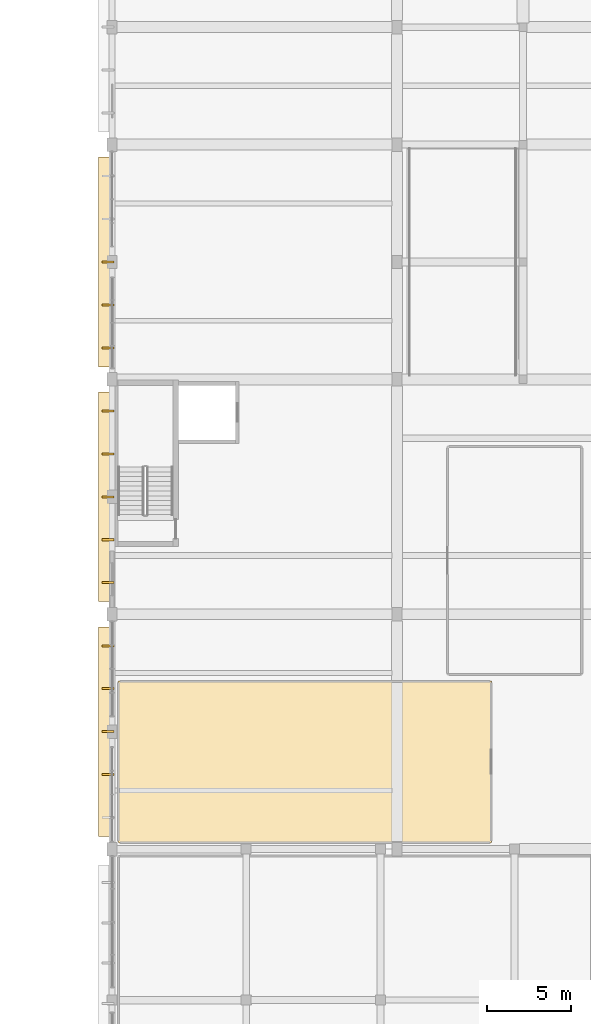
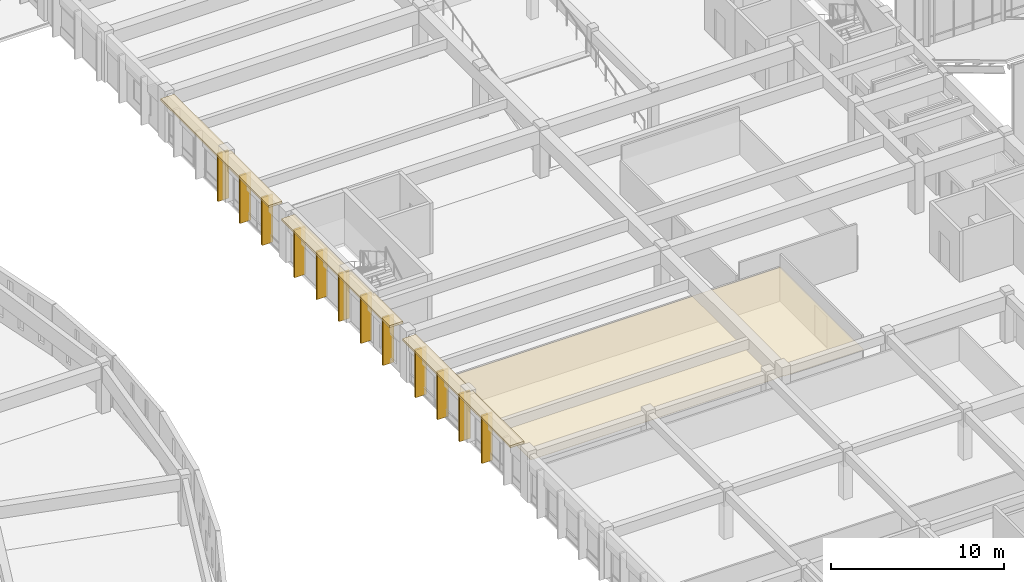
# One storey, part 133 of 155: 16 coverings.
"""IFC4 building model written with IfcOpenShell, lengths in metres."""

from ifc_helpers import new_model, si_unit, direction, frame, origin, origin_2d, place, context, subcontext, project, spatial, polyline, rectangle, outline, extrude, material, layer, layer_set, type_object, element, save


model = new_model("IFC4")

# Units and contexts
model_context = context("Model", 3, precision=1e-05, world=origin(), true_north=direction((0.0, 1.0)))
body_context = subcontext(model_context, "Body", "Model", "MODEL_VIEW")
ifc_project = project(units=[si_unit("LENGTHUNIT", "METRE"), si_unit("AREAUNIT", "SQUARE_METRE"), si_unit("VOLUMEUNIT", "CUBIC_METRE"), si_unit("PLANEANGLEUNIT", "RADIAN"), si_unit("MASSUNIT", "GRAM", prefix="KILO")], contexts=[model_context])

# Site, building, storey
site_placement = place(None, origin())
site = spatial("IfcSite", under=ifc_project, at=site_placement, CompositionType="ELEMENT")
building_placement = place(site_placement, origin())
building = spatial("IfcBuilding", under=site, at=building_placement, Name="Larkveld Mobility Hub", CompositionType="ELEMENT")
storey_placement = place(building_placement, frame((0.0, 0.0, 8.39990234375)))
storey = spatial("IfcBuildingStorey", under=building, at=storey_placement, Name="L02", CompositionType="ELEMENT", Elevation=8.39990234375)

# Coverings
ifc_material_1 = material(Name="Precast concrete C50/60", Category="concrete")
ifc_layer_1 = layer(ifc_material_1, 0.14990234375, Name="Precast concrete C50/60", Category="concrete")
ifc_layer_set_1 = layer_set([ifc_layer_1], Name="Precast concrete C50/60")
covering_type_1 = type_object("IfcCoveringType", Name="COV-QSL-H01", PredefinedType="CLADDING", material=ifc_layer_set_1)
for number, where, z_axis, x_axis, name in (
    (1, (111.659912109375, 35.0, 3.3701171875), (0.0, 0.0, 1.0), (0.0, -1.0, 0.0), "Precast Quebra-Sol Horizontal Sunbreaker QSH-449"),
    (2, (111.659912109375, 49.0, 3.3701171875), (0.0, 0.0, 1.0), (0.0, -1.0, 0.0), "Precast Quebra-Sol Horizontal Sunbreaker QSH-455"),
    (3, (111.659912109375, 63.0, 3.3701171875), (0.0, 0.0, 1.0), (0.0, -1.0, 0.0), "Precast Quebra-Sol Horizontal Sunbreaker QSH-461"),
):
    element("IfcCovering", number, at=place(storey_placement, frame(where, z_axis=z_axis, x_axis=x_axis)), inside=storey, type_object=covering_type_1, Name=name, PredefinedType="CLADDING", context=body_context, shape_type="SweptSolid", body=[
        extrude(rectangle(XDim=12.5, YDim=0.919921875, at=origin_2d()), origin(), (0.0, 0.0, 1.0), 0.14990234375),
    ])
ifc_layer_2 = layer(ifc_material_1, 0.1201171875, Name="Precast concrete C50/60", Category="concrete")
ifc_layer_set_2 = layer_set([ifc_layer_2], Name="Precast concrete C50/60")
covering_type_2 = type_object("IfcCoveringType", Name="COV-QSL-V01", PredefinedType="CLADDING", material=ifc_layer_set_2)
for number, where, z_axis, x_axis, name in (
    (4, (111.760009765625, 40.1201171875, -0.019287109375), (0.0, 0.0, 1.0), (0.0, -1.0, 0.0), "Precast Quebra-Sol Vertical Fin QSV-450"),
    (5, (111.760009765625, 37.56005859375, -0.019287109375), (0.0, 0.0, 1.0), (0.0, -1.0, 0.0), "Precast Quebra-Sol Vertical Fin QSV-451"),
    (6, (111.760009765625, 35.0, -0.019287109375), (0.0, 0.0, 1.0), (0.0, -1.0, 0.0), "Precast Quebra-Sol Vertical Fin QSV-452"),
    (7, (111.760009765625, 32.43994140625, -0.019287109375), (0.0, 0.0, 1.0), (0.0, -1.0, 0.0), "Precast Quebra-Sol Vertical Fin QSV-453"),
    (8, (111.760009765625, 54.1201171875, -0.019287109375), (0.0, 0.0, 1.0), (0.0, -1.0, 0.0), "Precast Quebra-Sol Vertical Fin QSV-456"),
    (9, (111.760009765625, 51.56005859375, -0.019287109375), (0.0, 0.0, 1.0), (0.0, -1.0, 0.0), "Precast Quebra-Sol Vertical Fin QSV-457"),
    (10, (111.760009765625, 49.0, -0.019287109375), (0.0, 0.0, 1.0), (0.0, -1.0, 0.0), "Precast Quebra-Sol Vertical Fin QSV-458"),
    (11, (111.760009765625, 46.43994140625, -0.019287109375), (0.0, 0.0, 1.0), (0.0, -1.0, 0.0), "Precast Quebra-Sol Vertical Fin QSV-459"),
    (12, (111.760009765625, 43.8798828125, -0.019287109375), (0.0, 0.0, 1.0), (0.0, -1.0, 0.0), "Precast Quebra-Sol Vertical Fin QSV-460"),
    (13, (111.760009765625, 63.0, -0.019287109375), (0.0, 0.0, 1.0), (0.0, -1.0, 0.0), "Precast Quebra-Sol Vertical Fin QSV-464"),
    (14, (111.760009765625, 60.43994140625, -0.019287109375), (0.0, 0.0, 1.0), (0.0, -1.0, 0.0), "Precast Quebra-Sol Vertical Fin QSV-465"),
    (15, (111.760009765625, 57.8798828125, -0.019287109375), (0.0, 0.0, 1.0), (0.0, -1.0, 0.0), "Precast Quebra-Sol Vertical Fin QSV-466"),
):
    element("IfcCovering", number, at=place(storey_placement, frame(where, z_axis=z_axis, x_axis=x_axis)), inside=storey, type_object=covering_type_2, Name=name, PredefinedType="CLADDING", context=body_context, shape_type="SweptSolid", body=[
        extrude(rectangle(XDim=0.1201171875, YDim=0.719970703125, at=origin_2d()), origin(), (0.0, 0.0, 1.0), 3.375),
    ])
ifc_material_2 = material(Name="Perforated mineral-fibre acoustic ceiling", Category="masonry")
ifc_layer_3 = layer(ifc_material_2, 0.02001953125, Name="Perforated mineral-fibre acoustic ceiling", Category="masonry")
ifc_layer_set_3 = layer_set([ifc_layer_3], Name="Perforated mineral-fibre acoustic ceiling")
covering_type_3 = type_object("IfcCoveringType", Name="CV-CLG-020", PredefinedType="CEILING", material=ifc_layer_set_3)
covering_placement = place(storey_placement, frame((0.0, 0.0, 2.330078125)))
element("IfcCovering", 16, at=covering_placement, inside=storey, type_object=covering_type_3, Name="Regional Coach Passenger Lounge Acoustic Ceiling 028", PredefinedType="CEILING", context=body_context, shape_type="SweptSolid", body=[
    extrude(outline(polyline([(112.4169921875, 28.3701171875), (112.4140625, 28.37109375), (112.410888671875, 28.37109375), (112.408935546875, 28.3720703125), (112.406005859375, 28.3740234375), (112.403076171875, 28.375), (112.40087890625, 28.376953125), (112.39892578125, 28.37890625), (112.37890625, 28.39892578125), (112.376953125, 28.40087890625), (112.375, 28.403076171875), (112.3740234375, 28.406005859375), (112.3720703125, 28.408935546875), (112.37109375, 28.410888671875), (112.37109375, 28.4140625), (112.3701171875, 28.4169921875), (112.3701171875, 28.419921875), (112.3701171875, 37.97998046875), (112.3701171875, 37.98291015625), (112.37109375, 37.986083984375), (112.37109375, 37.989013671875), (112.3720703125, 37.990966796875), (112.3740234375, 37.993896484375), (112.375, 37.9970703125), (112.386962890625, 38.014892578125), (112.388916015625, 38.01806640625), (112.39111328125, 38.02001953125), (112.39306640625, 38.02197265625), (112.39599609375, 38.02294921875), (112.39794921875, 38.02490234375), (112.40087890625, 38.02587890625), (112.404052734375, 38.027099609375), (112.406005859375, 38.028076171875), (112.408935546875, 38.028076171875), (112.412109375, 38.028076171875), (134.580078125, 38.030029296875), (134.5830078125, 38.030029296875), (134.5859375, 38.029052734375), (134.589111328125, 38.029052734375), (134.591064453125, 38.028076171875), (134.593994140625, 38.02587890625), (134.596923828125, 38.02490234375), (134.614990234375, 38.012939453125), (134.617919921875, 38.010986328125), (134.6201171875, 38.009033203125), (134.6220703125, 38.007080078125), (134.623046875, 38.00390625), (134.625, 38.001953125), (134.6259765625, 37.9990234375), (134.626953125, 37.99609375), (134.6279296875, 37.993896484375), (134.6279296875, 37.990966796875), (134.6279296875, 37.988037109375), (134.6298828125, 28.419921875), (134.6298828125, 28.4169921875), (134.62890625, 28.4140625), (134.62890625, 28.410888671875), (134.6279296875, 28.408935546875), (134.6259765625, 28.406005859375), (134.625, 28.403076171875), (134.613037109375, 28.385009765625), (134.611083984375, 28.382080078125), (134.60888671875, 28.3798828125), (134.60693359375, 28.3779296875), (134.60400390625, 28.376953125), (134.60205078125, 28.375), (134.59912109375, 28.3740234375), (134.595947265625, 28.373046875), (134.593994140625, 28.3720703125), (134.591064453125, 28.3720703125), (134.587890625, 28.3720703125), (129.304931640625, 28.37109375), (129.304931640625, 28.405029296875), (128.695068359375, 28.405029296875), (128.695068359375, 28.37109375), (112.419921875, 28.3701171875), (112.4169921875, 28.3701171875)])), origin(), (0.0, 0.0, 1.0), 0.02001953125),
])

save(model, "model.ifc")
